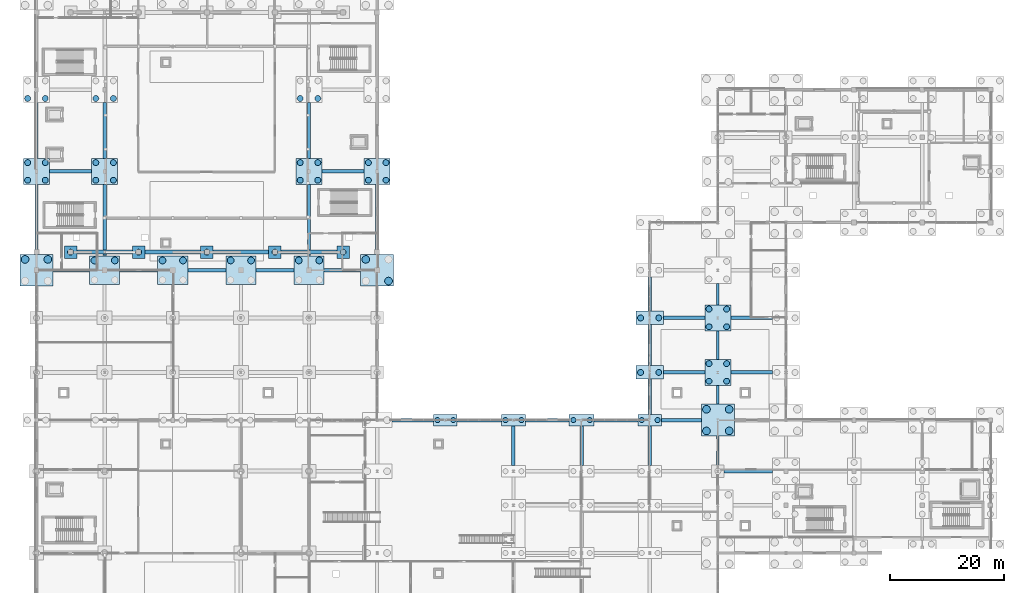
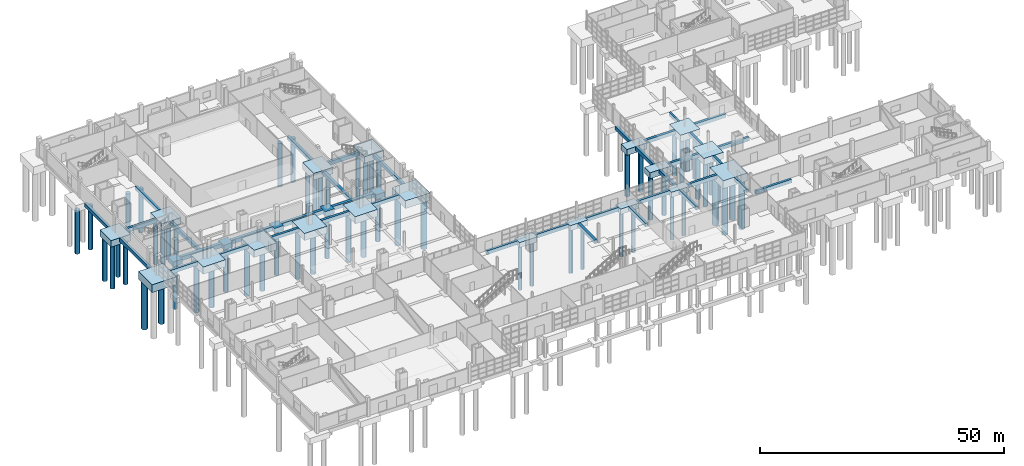
# One storey, part 3 of 82: 63 piles, 62 footings.
"""IFC4 building model written with IfcOpenShell, lengths in metres."""

from ifc_helpers import new_model, si_unit, direction, frame, origin, origin_2d, place, context, subcontext, project, spatial, rectangle, circle, extrude, material, material_profile, profile_set, type_object, element, save


model = new_model("IFC4")

# Units and contexts
model_context = context("Model", 3, precision=1e-05, world=origin(), true_north=direction((0.0, 1.0)))
body_context = subcontext(model_context, "Body", "Model", "MODEL_VIEW")
ifc_project = project(units=[si_unit("LENGTHUNIT", "METRE"), si_unit("AREAUNIT", "SQUARE_METRE"), si_unit("VOLUMEUNIT", "CUBIC_METRE"), si_unit("PLANEANGLEUNIT", "RADIAN"), si_unit("MASSUNIT", "GRAM", prefix="KILO")], contexts=[model_context])

# Site, building, storey
site_placement = place(None, origin())
site = spatial("IfcSite", under=ifc_project, at=site_placement, CompositionType="ELEMENT")
building_placement = place(site_placement, origin())
building = spatial("IfcBuilding", under=site, at=building_placement, Name="Kelmvaro Bay Concert Hall", CompositionType="ELEMENT")
storey_placement = place(building_placement, origin())
storey = spatial("IfcBuildingStorey", under=building, at=storey_placement, Name="L00", CompositionType="ELEMENT", Elevation=0.0)

# Footings
ifc_material_1 = material(Name="Concrete C35/45", Category="concrete")
footing_type_1 = type_object("IfcFootingType", Name="Grade Tie Beam 500x800", PredefinedType="FOOTING_BEAM", material=ifc_material_1)
footing_1_placement = place(storey_placement, frame((120.0, 33.64990234375, -0.7998046875), z_axis=(0.0, 0.0, 1.0), x_axis=(0.0, 1.0, 0.0)))
element("IfcFooting", 1, at=footing_1_placement, inside=storey, type_object=footing_type_1, Name="Grade Tie Beam FDN-TB-171", PredefinedType="FOOTING_BEAM", context=body_context, shape_type="SweptSolid", body=[
    extrude(rectangle(XDim=5.10009765625, YDim=0.5, at=origin_2d()), origin(), (0.0, 0.0, 1.0), 0.800048828125),
])
footing_2_placement = place(storey_placement, frame((120.0, 43.449951171875, -0.7998046875), z_axis=(0.0, 0.0, 1.0), x_axis=(0.0, 1.0, 0.0)))
element("IfcFooting", 2, at=footing_2_placement, inside=storey, type_object=footing_type_1, Name="Grade Tie Beam FDN-TB-172", PredefinedType="FOOTING_BEAM", context=body_context, shape_type="SweptSolid", body=[
    extrude(rectangle(XDim=3.300048828125, YDim=0.5, at=origin_2d()), origin(), (0.0, 0.0, 1.0), 0.800048828125),
])
footing_3_placement = place(storey_placement, frame((120.0, 52.199951171875, -0.7998046875), z_axis=(0.0, 0.0, 1.0), x_axis=(0.0, 1.0, 0.0)))
element("IfcFooting", 3, at=footing_3_placement, inside=storey, type_object=footing_type_1, Name="Grade Tie Beam FDN-TB-173", PredefinedType="FOOTING_BEAM", context=body_context, shape_type="SweptSolid", body=[
    extrude(rectangle(XDim=5.0, YDim=0.5, at=origin_2d()), origin(), (0.0, 0.0, 1.0), 0.800048828125),
])
footing_4_placement = place(storey_placement, frame((120.0, 61.199951171875, -0.7998046875), z_axis=(0.0, 0.0, 1.0), x_axis=(0.0, 1.0, 0.0)))
element("IfcFooting", 4, at=footing_4_placement, inside=storey, type_object=footing_type_1, Name="Grade Tie Beam FDN-TB-174", PredefinedType="FOOTING_BEAM", context=body_context, shape_type="SweptSolid", body=[
    extrude(rectangle(XDim=3.800048828125, YDim=0.5, at=origin_2d()), origin(), (0.0, 0.0, 1.0), 0.800048828125),
])
ifc_material_2 = material(Name="Concrete C35/45", Category="concrete")
footing_type_2 = type_object("IfcFootingType", Name="Grade Tie Beam 600x900", PredefinedType="FOOTING_BEAM", material=ifc_material_2)
footing_5_placement = place(storey_placement, frame((125.35009765625, 30.0, -0.89990234375), z_axis=(0.0, 0.0, 1.0), x_axis=(1.0, 0.0, 0.0)))
element("IfcFooting", 5, at=footing_5_placement, inside=storey, type_object=footing_type_2, Name="Grade Tie Beam FDN-TB-037", PredefinedType="FOOTING_BEAM", context=body_context, shape_type="SweptSolid", body=[
    extrude(rectangle(XDim=8.5, YDim=0.60009765625, at=origin_2d()), origin(), (0.0, 0.0, 1.0), 0.89990234375),
])
footing_6_placement = place(storey_placement, frame((66.25, 39.0, -0.89990234375), z_axis=(0.0, 0.0, 1.0), x_axis=(1.0, 0.0, 0.0)))
element("IfcFooting", 6, at=footing_6_placement, inside=storey, type_object=footing_type_2, Name="Grade Tie Beam FDN-TB-046", PredefinedType="FOOTING_BEAM", context=body_context, shape_type="SweptSolid", body=[
    extrude(rectangle(XDim=7.300048828125, YDim=0.60009765625, at=origin_2d()), origin(), (0.0, 0.0, 1.0), 0.89990234375),
])
footing_7_placement = place(storey_placement, frame((78.0, 39.0, -0.89990234375), z_axis=(0.0, 0.0, 1.0), x_axis=(1.0, 0.0, 0.0)))
element("IfcFooting", 7, at=footing_7_placement, inside=storey, type_object=footing_type_2, Name="Grade Tie Beam FDN-TB-047", PredefinedType="FOOTING_BEAM", context=body_context, shape_type="SweptSolid", body=[
    extrude(rectangle(XDim=7.800048828125, YDim=0.60009765625, at=origin_2d()), origin(), (0.0, 0.0, 1.0), 0.89990234375),
])
for number, where, z_axis, x_axis, name in (
    (8, (89.949951171875, 39.0, -0.89990234375), (0.0, 0.0, 1.0), (1.0, 0.0, 0.0), "Grade Tie Beam FDN-TB-048"),
    (9, (102.050048828125, 39.0, -0.89990234375), (0.0, 0.0, 1.0), (1.0, 0.0, 0.0), "Grade Tie Beam FDN-TB-049"),
):
    element("IfcFooting", number, at=place(storey_placement, frame(where, z_axis=z_axis, x_axis=x_axis)), inside=storey, type_object=footing_type_2, Name=name, PredefinedType="FOOTING_BEAM", context=body_context, shape_type="SweptSolid", body=[
        extrude(rectangle(XDim=7.699951171875, YDim=0.60009765625, at=origin_2d()), origin(), (0.0, 0.0, 1.0), 0.89990234375),
    ])
footing_8_placement = place(storey_placement, frame((113.60009765625, 39.0, -0.89990234375), z_axis=(0.0, 0.0, 1.0), x_axis=(1.0, 0.0, 0.0)))
element("IfcFooting", 10, at=footing_8_placement, inside=storey, type_object=footing_type_2, Name="Grade Tie Beam FDN-TB-050", PredefinedType="FOOTING_BEAM", context=body_context, shape_type="SweptSolid", body=[
    extrude(rectangle(XDim=7.0, YDim=0.60009765625, at=origin_2d()), origin(), (0.0, 0.0, 1.0), 0.89990234375),
])
for number, where, z_axis, x_axis, name in (
    (11, (114.050048828125, 47.39990234375, -0.89990234375), (0.0, 0.0, 1.0), (1.0, 0.0, 0.0), "Grade Tie Beam FDN-TB-060"),
    (12, (125.949951171875, 47.39990234375, -0.89990234375), (0.0, 0.0, 1.0), (1.0, 0.0, 0.0), "Grade Tie Beam FDN-TB-061"),
    (13, (114.050048828125, 57.0, -0.89990234375), (0.0, 0.0, 1.0), (1.0, 0.0, 0.0), "Grade Tie Beam FDN-TB-067"),
    (14, (125.949951171875, 57.0, -0.89990234375), (0.0, 0.0, 1.0), (1.0, 0.0, 0.0), "Grade Tie Beam FDN-TB-068"),
):
    element("IfcFooting", number, at=place(storey_placement, frame(where, z_axis=z_axis, x_axis=x_axis)), inside=storey, type_object=footing_type_2, Name=name, PredefinedType="FOOTING_BEAM", context=body_context, shape_type="SweptSolid", body=[
        extrude(rectangle(XDim=7.300048828125, YDim=0.60009765625, at=origin_2d()), origin(), (0.0, 0.0, 1.0), 0.89990234375),
    ])
footing_9_placement = place(storey_placement, frame((6.125, 65.39990234375, -0.89990234375), z_axis=(0.0, 0.0, 1.0), x_axis=(1.0, 0.0, 0.0)))
element("IfcFooting", 15, at=footing_9_placement, inside=storey, type_object=footing_type_2, Name="Grade Tie Beam FDN-TB-069", PredefinedType="FOOTING_BEAM", context=body_context, shape_type="SweptSolid", body=[
    extrude(rectangle(XDim=6.449951171875, YDim=0.60009765625, at=origin_2d()), origin(), (0.0, 0.0, 1.0), 0.89990234375),
])
for number, where, z_axis, x_axis, name in (
    (16, (18.0, 65.39990234375, -0.89990234375), (0.0, 0.0, 1.0), (1.0, 0.0, 0.0), "Grade Tie Beam FDN-TB-070"),
    (17, (30.0, 65.39990234375, -0.89990234375), (0.0, 0.0, 1.0), (1.0, 0.0, 0.0), "Grade Tie Beam FDN-TB-071"),
    (18, (42.0, 65.39990234375, -0.89990234375), (0.0, 0.0, 1.0), (1.0, 0.0, 0.0), "Grade Tie Beam FDN-TB-072"),
):
    element("IfcFooting", number, at=place(storey_placement, frame(where, z_axis=z_axis, x_axis=x_axis)), inside=storey, type_object=footing_type_2, Name=name, PredefinedType="FOOTING_BEAM", context=body_context, shape_type="SweptSolid", body=[
        extrude(rectangle(XDim=6.699951171875, YDim=0.60009765625, at=origin_2d()), origin(), (0.0, 0.0, 1.0), 0.89990234375),
    ])
footing_10_placement = place(storey_placement, frame((53.875, 65.39990234375, -0.89990234375), z_axis=(0.0, 0.0, 1.0), x_axis=(1.0, 0.0, 0.0)))
element("IfcFooting", 19, at=footing_10_placement, inside=storey, type_object=footing_type_2, Name="Grade Tie Beam FDN-TB-073", PredefinedType="FOOTING_BEAM", context=body_context, shape_type="SweptSolid", body=[
    extrude(rectangle(XDim=6.449951171875, YDim=0.60009765625, at=origin_2d()), origin(), (0.0, 0.0, 1.0), 0.89990234375),
])
for number, where, z_axis, x_axis, name in (
    (20, (6.0, 82.800048828125, -0.89990234375), (0.0, 0.0, 1.0), (1.0, 0.0, 0.0), "Grade Tie Beam FDN-TB-085"),
    (21, (54.0, 82.800048828125, -0.89990234375), (0.0, 0.0, 1.0), (1.0, 0.0, 0.0), "Grade Tie Beam FDN-TB-086"),
):
    element("IfcFooting", number, at=place(storey_placement, frame(where, z_axis=z_axis, x_axis=x_axis)), inside=storey, type_object=footing_type_2, Name=name, PredefinedType="FOOTING_BEAM", context=body_context, shape_type="SweptSolid", body=[
        extrude(rectangle(XDim=7.39990234375, YDim=0.60009765625, at=origin_2d()), origin(), (0.0, 0.0, 1.0), 0.89990234375),
    ])
footing_11_placement = place(storey_placement, frame((0.0, 74.35009765625, -0.89990234375), z_axis=(0.0, 0.0, 1.0), x_axis=(0.0, 1.0, 0.0)))
element("IfcFooting", 22, at=footing_11_placement, inside=storey, type_object=footing_type_2, Name="Grade Tie Beam FDN-TB-113", PredefinedType="FOOTING_BEAM", context=body_context, shape_type="SweptSolid", body=[
    extrude(rectangle(XDim=12.300048828125, YDim=0.60009765625, at=origin_2d()), origin(), (0.0, 0.0, 1.0), 0.89990234375),
])
footing_12_placement = place(storey_placement, frame((0.0, 90.0, -0.89990234375), z_axis=(0.0, 0.0, 1.0), x_axis=(0.0, 1.0, 0.0)))
element("IfcFooting", 23, at=footing_12_placement, inside=storey, type_object=footing_type_2, Name="Grade Tie Beam FDN-TB-114", PredefinedType="FOOTING_BEAM", context=body_context, shape_type="SweptSolid", body=[
    extrude(rectangle(XDim=9.800048828125, YDim=0.60009765625, at=origin_2d()), origin(), (0.0, 0.0, 1.0), 0.89990234375),
])
footing_13_placement = place(storey_placement, frame((12.0, 74.22509765625, -0.89990234375), z_axis=(0.0, 0.0, 1.0), x_axis=(0.0, 1.0, 0.0)))
element("IfcFooting", 24, at=footing_13_placement, inside=storey, type_object=footing_type_2, Name="Grade Tie Beam FDN-TB-122", PredefinedType="FOOTING_BEAM", context=body_context, shape_type="SweptSolid", body=[
    extrude(rectangle(XDim=12.550048828125, YDim=0.60009765625, at=origin_2d()), origin(), (0.0, 0.0, 1.0), 0.89990234375),
])
footing_14_placement = place(storey_placement, frame((12.0, 90.0, -0.89990234375), z_axis=(0.0, 0.0, 1.0), x_axis=(0.0, 1.0, 0.0)))
element("IfcFooting", 25, at=footing_14_placement, inside=storey, type_object=footing_type_2, Name="Grade Tie Beam FDN-TB-123", PredefinedType="FOOTING_BEAM", context=body_context, shape_type="SweptSolid", body=[
    extrude(rectangle(XDim=9.800048828125, YDim=0.60009765625, at=origin_2d()), origin(), (0.0, 0.0, 1.0), 0.89990234375),
])
footing_15_placement = place(storey_placement, frame((48.0, 74.22509765625, -0.89990234375), z_axis=(0.0, 0.0, 1.0), x_axis=(0.0, 1.0, 0.0)))
element("IfcFooting", 26, at=footing_15_placement, inside=storey, type_object=footing_type_2, Name="Grade Tie Beam FDN-TB-140", PredefinedType="FOOTING_BEAM", context=body_context, shape_type="SweptSolid", body=[
    extrude(rectangle(XDim=12.550048828125, YDim=0.60009765625, at=origin_2d()), origin(), (0.0, 0.0, 1.0), 0.89990234375),
])
footing_16_placement = place(storey_placement, frame((48.0, 90.0, -0.89990234375), z_axis=(0.0, 0.0, 1.0), x_axis=(0.0, 1.0, 0.0)))
element("IfcFooting", 27, at=footing_16_placement, inside=storey, type_object=footing_type_2, Name="Grade Tie Beam FDN-TB-141", PredefinedType="FOOTING_BEAM", context=body_context, shape_type="SweptSolid", body=[
    extrude(rectangle(XDim=9.800048828125, YDim=0.60009765625, at=origin_2d()), origin(), (0.0, 0.0, 1.0), 0.89990234375),
])
footing_17_placement = place(storey_placement, frame((60.0, 74.35009765625, -0.89990234375), z_axis=(0.0, 0.0, 1.0), x_axis=(0.0, 1.0, 0.0)))
element("IfcFooting", 28, at=footing_17_placement, inside=storey, type_object=footing_type_2, Name="Grade Tie Beam FDN-TB-149", PredefinedType="FOOTING_BEAM", context=body_context, shape_type="SweptSolid", body=[
    extrude(rectangle(XDim=12.300048828125, YDim=0.60009765625, at=origin_2d()), origin(), (0.0, 0.0, 1.0), 0.89990234375),
])
for number, where, z_axis, x_axis, name in (
    (29, (84.0, 34.5, -0.89990234375), (0.0, 0.0, 1.0), (0.0, 1.0, 0.0), "Grade Tie Beam FDN-TB-155"),
    (30, (96.0, 34.5, -0.89990234375), (0.0, 0.0, 1.0), (0.0, 1.0, 0.0), "Grade Tie Beam FDN-TB-159"),
    (31, (108.0, 34.5, -0.89990234375), (0.0, 0.0, 1.0), (0.0, 1.0, 0.0), "Grade Tie Beam FDN-TB-163"),
):
    element("IfcFooting", number, at=place(storey_placement, frame(where, z_axis=z_axis, x_axis=x_axis)), inside=storey, type_object=footing_type_2, Name=name, PredefinedType="FOOTING_BEAM", context=body_context, shape_type="SweptSolid", body=[
        extrude(rectangle(XDim=7.0, YDim=0.60009765625, at=origin_2d()), origin(), (0.0, 0.0, 1.0), 0.89990234375),
    ])
footing_18_placement = place(storey_placement, frame((108.0, 43.10009765625, -0.89990234375), z_axis=(0.0, 0.0, 1.0), x_axis=(0.0, 1.0, 0.0)))
element("IfcFooting", 32, at=footing_18_placement, inside=storey, type_object=footing_type_2, Name="Grade Tie Beam FDN-TB-164", PredefinedType="FOOTING_BEAM", context=body_context, shape_type="SweptSolid", body=[
    extrude(rectangle(XDim=6.199951171875, YDim=0.60009765625, at=origin_2d()), origin(), (0.0, 0.0, 1.0), 0.89990234375),
])
footing_19_placement = place(storey_placement, frame((108.0, 52.199951171875, -0.89990234375), z_axis=(0.0, 0.0, 1.0), x_axis=(0.0, 1.0, 0.0)))
element("IfcFooting", 33, at=footing_19_placement, inside=storey, type_object=footing_type_2, Name="Grade Tie Beam FDN-TB-165", PredefinedType="FOOTING_BEAM", context=body_context, shape_type="SweptSolid", body=[
    extrude(rectangle(XDim=7.199951171875, YDim=0.60009765625, at=origin_2d()), origin(), (0.0, 0.0, 1.0), 0.89990234375),
])
footing_20_placement = place(storey_placement, frame((108.0, 61.199951171875, -0.89990234375), z_axis=(0.0, 0.0, 1.0), x_axis=(0.0, 1.0, 0.0)))
element("IfcFooting", 34, at=footing_20_placement, inside=storey, type_object=footing_type_2, Name="Grade Tie Beam FDN-TB-166", PredefinedType="FOOTING_BEAM", context=body_context, shape_type="SweptSolid", body=[
    extrude(rectangle(XDim=6.0, YDim=0.60009765625, at=origin_2d()), origin(), (0.0, 0.0, 1.0), 0.89990234375),
])
ifc_material_3 = material(Name="Concrete C35/45", Category="concrete")
footing_type_3 = type_object("IfcFootingType", Name="Grade Tie Beam 700x1000", PredefinedType="FOOTING_BEAM", material=ifc_material_3)
for number, where, z_axis, x_axis, name in (
    (35, (12.0, 68.580078125, -1.0), (0.0, 0.0, 1.0), (1.0, 0.0, 0.0), "Grade Tie Beam FDN-TB-076"),
    (36, (24.0, 68.580078125, -1.0), (0.0, 0.0, 1.0), (1.0, 0.0, 0.0), "Grade Tie Beam FDN-TB-077"),
    (37, (36.0, 68.580078125, -1.0), (0.0, 0.0, 1.0), (1.0, 0.0, 0.0), "Grade Tie Beam FDN-TB-078"),
    (38, (48.0, 68.580078125, -1.0), (0.0, 0.0, 1.0), (1.0, 0.0, 0.0), "Grade Tie Beam FDN-TB-079"),
):
    element("IfcFooting", number, at=place(storey_placement, frame(where, z_axis=z_axis, x_axis=x_axis)), inside=storey, type_object=footing_type_3, Name=name, PredefinedType="FOOTING_BEAM", context=body_context, shape_type="SweptSolid", body=[
        extrude(rectangle(XDim=9.800048828125, YDim=0.699951171875, at=origin_2d()), origin(), (0.0, 0.0, 1.0), 1.0),
    ])
ifc_material_4 = material(Name="Concrete C35/45", Category="concrete")
footing_type_4 = type_object("IfcFootingType", Name="Pile Cap 2200x2200x1200", PredefinedType="PILE_CAP", material=ifc_material_4)
for number, where, z_axis, x_axis, name in (
    (39, (6.0, 68.580078125, -1.2001953125), (0.0, 0.0, 1.0), (1.0, 0.0, 0.0), "Pile Cap FDN-PC-015"),
    (40, (18.0, 68.580078125, -1.2001953125), (0.0, 0.0, 1.0), (1.0, 0.0, 0.0), "Pile Cap FDN-PC-017"),
    (41, (30.0, 68.580078125, -1.2001953125), (0.0, 0.0, 1.0), (1.0, 0.0, 0.0), "Pile Cap FDN-PC-019"),
    (42, (42.0, 68.580078125, -1.2001953125), (0.0, 0.0, 1.0), (1.0, 0.0, 0.0), "Pile Cap FDN-PC-021"),
    (43, (54.0, 68.580078125, -1.2001953125), (0.0, 0.0, 1.0), (1.0, 0.0, 0.0), "Pile Cap FDN-PC-023"),
):
    element("IfcFooting", number, at=place(storey_placement, frame(where, z_axis=z_axis, x_axis=x_axis)), inside=storey, type_object=footing_type_4, Name=name, PredefinedType="PILE_CAP", context=body_context, shape_type="SweptSolid", body=[
        extrude(rectangle(XDim=2.199951171875, YDim=2.199951171875, at=origin_2d()), origin(), (0.0, 0.0, 1.0), 1.199951171875),
    ])
ifc_material_5 = material(Name="Concrete C35/45", Category="concrete")
footing_type_5 = type_object("IfcFootingType", Name="Pile Cap 4200x2000x1300", PredefinedType="PILE_CAP", material=ifc_material_5)
for number, where, z_axis, x_axis, name in (
    (44, (72.0, 39.0, -1.2998046875), (0.0, 0.0, 1.0), (1.0, 0.0, 0.0), "Pile Cap FDN-PC-095"),
    (45, (84.0, 39.0, -1.2998046875), (0.0, 0.0, 1.0), (1.0, 0.0, 0.0), "Pile Cap FDN-PC-100"),
    (46, (108.0, 39.0, -1.2998046875), (0.0, 0.0, 1.0), (1.0, 0.0, 0.0), "Pile Cap FDN-PC-110"),
):
    element("IfcFooting", number, at=place(storey_placement, frame(where, z_axis=z_axis, x_axis=x_axis)), inside=storey, type_object=footing_type_5, Name=name, PredefinedType="PILE_CAP", context=body_context, shape_type="SweptSolid", body=[
        extrude(rectangle(XDim=4.199951171875, YDim=2.0, at=origin_2d()), origin(), (0.0, 0.0, 1.0), 1.300048828125),
    ])
ifc_material_6 = material(Name="Concrete C35/45", Category="concrete")
footing_type_6 = type_object("IfcFootingType", Name="Pile Cap 4400x2000x1350", PredefinedType="PILE_CAP", material=ifc_material_6)
footing_21_placement = place(storey_placement, frame((96.0, 39.0, -1.35009765625), z_axis=(0.0, 0.0, 1.0), x_axis=(1.0, 0.0, 0.0)))
element("IfcFooting", 47, at=footing_21_placement, inside=storey, type_object=footing_type_6, Name="Pile Cap FDN-PC-105", PredefinedType="PILE_CAP", context=body_context, shape_type="SweptSolid", body=[
    extrude(rectangle(XDim=4.39990234375, YDim=2.0, at=origin_2d()), origin(), (0.0, 0.0, 1.0), 1.35009765625),
])
ifc_material_7 = material(Name="Concrete C35/45", Category="concrete")
footing_type_7 = type_object("IfcFootingType", Name="Pile Cap 4600x4600x1650", PredefinedType="PILE_CAP", material=ifc_material_7)
for number, where, z_axis, x_axis, name in (
    (48, (0.0, 82.800048828125, -1.64990234375), (0.0, 0.0, 1.0), (1.0, 0.0, 0.0), "Pile Cap FDN-PC-027"),
    (49, (12.0, 82.800048828125, -1.64990234375), (0.0, 0.0, 1.0), (1.0, 0.0, 0.0), "Pile Cap FDN-PC-029"),
    (50, (48.0, 82.800048828125, -1.64990234375), (0.0, 0.0, 1.0), (1.0, 0.0, 0.0), "Pile Cap FDN-PC-031"),
    (51, (60.0, 82.800048828125, -1.64990234375), (0.0, 0.0, 1.0), (1.0, 0.0, 0.0), "Pile Cap FDN-PC-033"),
    (52, (120.0, 47.39990234375, -1.64990234375), (0.0, 0.0, 1.0), (1.0, 0.0, 0.0), "Pile Cap FDN-PC-127"),
    (53, (120.0, 57.0, -1.64990234375), (0.0, 0.0, 1.0), (1.0, 0.0, 0.0), "Pile Cap FDN-PC-128"),
):
    element("IfcFooting", number, at=place(storey_placement, frame(where, z_axis=z_axis, x_axis=x_axis)), inside=storey, type_object=footing_type_7, Name=name, PredefinedType="PILE_CAP", context=body_context, shape_type="SweptSolid", body=[
        extrude(rectangle(XDim=4.60009765625, YDim=4.60009765625, at=origin_2d()), origin(), (0.0, 0.0, 1.0), 1.64990234375),
    ])
ifc_material_8 = material(Name="Concrete C35/45", Category="concrete")
footing_type_8 = type_object("IfcFootingType", Name="Pile Cap 4800x2400x1500", PredefinedType="PILE_CAP", material=ifc_material_8)
for number, where, z_axis, x_axis, name in (
    (54, (108.0, 47.39990234375, -1.5), (0.0, 0.0, 1.0), (1.0, 0.0, 0.0), "Pile Cap FDN-PC-124"),
    (55, (108.0, 57.0, -1.5), (0.0, 0.0, 1.0), (1.0, 0.0, 0.0), "Pile Cap FDN-PC-125"),
):
    element("IfcFooting", number, at=place(storey_placement, frame(where, z_axis=z_axis, x_axis=x_axis)), inside=storey, type_object=footing_type_8, Name=name, PredefinedType="PILE_CAP", context=body_context, shape_type="SweptSolid", body=[
        extrude(rectangle(XDim=4.800048828125, YDim=2.39990234375, at=origin_2d()), origin(), (0.0, 0.0, 1.0), 1.5),
    ])
ifc_material_9 = material(Name="Concrete C35/45", Category="concrete")
footing_type_9 = type_object("IfcFootingType", Name="Pile Cap 5300x5100x1800", PredefinedType="PILE_CAP", material=ifc_material_9)
for number, where, z_axis, x_axis, name in (
    (56, (12.0, 65.39990234375, -1.7998046875), (0.0, 0.0, 1.0), (1.0, 0.0, 0.0), "Pile Cap FDN-PC-003"),
    (57, (24.0, 65.39990234375, -1.7998046875), (0.0, 0.0, 1.0), (1.0, 0.0, 0.0), "Pile Cap FDN-PC-005"),
    (58, (36.0, 65.39990234375, -1.7998046875), (0.0, 0.0, 1.0), (1.0, 0.0, 0.0), "Pile Cap FDN-PC-007"),
    (59, (48.0, 65.39990234375, -1.7998046875), (0.0, 0.0, 1.0), (1.0, 0.0, 0.0), "Pile Cap FDN-PC-009"),
):
    element("IfcFooting", number, at=place(storey_placement, frame(where, z_axis=z_axis, x_axis=x_axis)), inside=storey, type_object=footing_type_9, Name=name, PredefinedType="PILE_CAP", context=body_context, shape_type="SweptSolid", body=[
        extrude(rectangle(XDim=5.300048828125, YDim=5.10009765625, at=origin_2d()), origin(), (0.0, 0.0, 1.0), 1.800048828125),
    ])
ifc_material_10 = material(Name="Concrete C35/45", Category="concrete")
footing_type_10 = type_object("IfcFootingType", Name="Pile Cap 5800x5600x1950", PredefinedType="PILE_CAP", material=ifc_material_10)
for number, where, z_axis, x_axis, name in (
    (60, (0.0, 65.39990234375, -1.9501953125), (0.0, 0.0, 1.0), (1.0, 0.0, 0.0), "Pile Cap FDN-PC-001"),
    (61, (60.0, 65.39990234375, -1.9501953125), (0.0, 0.0, 1.0), (1.0, 0.0, 0.0), "Pile Cap FDN-PC-011"),
    (62, (120.0, 39.0, -1.9501953125), (0.0, 0.0, 1.0), (1.0, 0.0, 0.0), "Pile Cap FDN-PC-074"),
):
    element("IfcFooting", number, at=place(storey_placement, frame(where, z_axis=z_axis, x_axis=x_axis)), inside=storey, type_object=footing_type_10, Name=name, PredefinedType="PILE_CAP", context=body_context, shape_type="SweptSolid", body=[
        extrude(rectangle(XDim=5.800048828125, YDim=5.60009765625, at=origin_2d()), origin(), (0.0, 0.0, 1.0), 1.949951171875),
    ])

# Piles
ifc_material_11 = material(Name="Concrete C35/45", Category="concrete")
ifc_material_profile_1 = material_profile(ifc_material_11, circle(Radius=0.52490234375, at=origin_2d()), Name="PILE-BORED-1050")
ifc_profile_set_1 = profile_set([ifc_material_profile_1], Name="Concrete C35/45")
pile_type_1 = type_object("IfcPileType", Name="Rock Shaft Bored Pile D1050", PredefinedType="BORED", material=ifc_profile_set_1)
for number, where, z_axis, x_axis, name in (
    (63, (6.0, 68.580078125, -1.10009765625), (0.0, 0.0, -1.0), (1.0, 0.0, 0.0), "Bored Rock Shaft FDN-BP-0049"),
    (64, (18.0, 68.580078125, -1.10009765625), (0.0, 0.0, -1.0), (1.0, 0.0, 0.0), "Bored Rock Shaft FDN-BP-0051"),
    (65, (30.0, 68.580078125, -1.10009765625), (0.0, 0.0, -1.0), (1.0, 0.0, 0.0), "Bored Rock Shaft FDN-BP-0053"),
    (66, (42.0, 68.580078125, -1.10009765625), (0.0, 0.0, -1.0), (1.0, 0.0, 0.0), "Bored Rock Shaft FDN-BP-0055"),
    (67, (54.0, 68.580078125, -1.10009765625), (0.0, 0.0, -1.0), (1.0, 0.0, 0.0), "Bored Rock Shaft FDN-BP-0057"),
):
    element("IfcPile", number, at=place(storey_placement, frame(where, z_axis=z_axis, x_axis=x_axis)), inside=storey, type_object=pile_type_1, Name=name, PredefinedType="BORED", context=body_context, shape_type="SweptSolid", body=[
        extrude(circle(Radius=0.52490234375, at=origin_2d()), origin(), (0.0, 0.0, 1.0), 11.39990234375),
    ])
for number, where, z_axis, x_axis, name in (
    (68, (-1.550048828125, 81.25, -1.550048828125), (0.0, 0.0, -1.0), (1.0, 0.0, 0.0), "Bored Rock Shaft FDN-BP-0059"),
    (69, (1.550048828125, 81.25, -1.550048828125), (0.0, 0.0, -1.0), (1.0, 0.0, 0.0), "Bored Rock Shaft FDN-BP-0060"),
    (70, (-1.550048828125, 84.35009765625, -1.550048828125), (0.0, 0.0, -1.0), (1.0, 0.0, 0.0), "Bored Rock Shaft FDN-BP-0061"),
    (71, (1.550048828125, 84.35009765625, -1.550048828125), (0.0, 0.0, -1.0), (1.0, 0.0, 0.0), "Bored Rock Shaft FDN-BP-0062"),
    (72, (-1.550048828125, 95.64990234375, -1.550048828125), (0.0, 0.0, -1.0), (1.0, 0.0, 0.0), "Bored Rock Shaft FDN-BP-0063"),
    (73, (1.550048828125, 95.64990234375, -1.550048828125), (0.0, 0.0, -1.0), (1.0, 0.0, 0.0), "Bored Rock Shaft FDN-BP-0064"),
    (74, (10.449951171875, 81.25, -1.550048828125), (0.0, 0.0, -1.0), (1.0, 0.0, 0.0), "Bored Rock Shaft FDN-BP-0067"),
    (75, (13.550048828125, 81.25, -1.550048828125), (0.0, 0.0, -1.0), (1.0, 0.0, 0.0), "Bored Rock Shaft FDN-BP-0068"),
    (76, (10.449951171875, 84.35009765625, -1.550048828125), (0.0, 0.0, -1.0), (1.0, 0.0, 0.0), "Bored Rock Shaft FDN-BP-0069"),
    (77, (13.550048828125, 84.35009765625, -1.550048828125), (0.0, 0.0, -1.0), (1.0, 0.0, 0.0), "Bored Rock Shaft FDN-BP-0070"),
    (78, (10.449951171875, 95.64990234375, -1.550048828125), (0.0, 0.0, -1.0), (1.0, 0.0, 0.0), "Bored Rock Shaft FDN-BP-0071"),
    (79, (13.550048828125, 95.64990234375, -1.550048828125), (0.0, 0.0, -1.0), (1.0, 0.0, 0.0), "Bored Rock Shaft FDN-BP-0072"),
    (80, (46.449951171875, 81.25, -1.550048828125), (0.0, 0.0, -1.0), (1.0, 0.0, 0.0), "Bored Rock Shaft FDN-BP-0075"),
    (81, (49.550048828125, 81.25, -1.550048828125), (0.0, 0.0, -1.0), (1.0, 0.0, 0.0), "Bored Rock Shaft FDN-BP-0076"),
    (82, (46.449951171875, 84.35009765625, -1.550048828125), (0.0, 0.0, -1.0), (1.0, 0.0, 0.0), "Bored Rock Shaft FDN-BP-0077"),
    (83, (49.550048828125, 84.35009765625, -1.550048828125), (0.0, 0.0, -1.0), (1.0, 0.0, 0.0), "Bored Rock Shaft FDN-BP-0078"),
    (84, (46.449951171875, 95.64990234375, -1.550048828125), (0.0, 0.0, -1.0), (1.0, 0.0, 0.0), "Bored Rock Shaft FDN-BP-0079"),
    (85, (49.550048828125, 95.64990234375, -1.550048828125), (0.0, 0.0, -1.0), (1.0, 0.0, 0.0), "Bored Rock Shaft FDN-BP-0080"),
    (86, (58.449951171875, 81.25, -1.550048828125), (0.0, 0.0, -1.0), (1.0, 0.0, 0.0), "Bored Rock Shaft FDN-BP-0083"),
    (87, (61.550048828125, 81.25, -1.550048828125), (0.0, 0.0, -1.0), (1.0, 0.0, 0.0), "Bored Rock Shaft FDN-BP-0084"),
    (88, (58.449951171875, 84.35009765625, -1.550048828125), (0.0, 0.0, -1.0), (1.0, 0.0, 0.0), "Bored Rock Shaft FDN-BP-0085"),
    (89, (61.550048828125, 84.35009765625, -1.550048828125), (0.0, 0.0, -1.0), (1.0, 0.0, 0.0), "Bored Rock Shaft FDN-BP-0086"),
):
    element("IfcPile", number, at=place(storey_placement, frame(where, z_axis=z_axis, x_axis=x_axis)), inside=storey, type_object=pile_type_1, Name=name, PredefinedType="BORED", context=body_context, shape_type="SweptSolid", body=[
        extrude(circle(Radius=0.52490234375, at=origin_2d()), origin(), (0.0, 0.0, 1.0), 10.949951171875),
    ])
for number, where, z_axis, x_axis, name in (
    (90, (106.39990234375, 47.39990234375, -1.39990234375), (0.0, 0.0, -1.0), (1.0, 0.0, 0.0), "Bored Rock Shaft FDN-BP-0295"),
    (91, (109.60009765625, 47.39990234375, -1.39990234375), (0.0, 0.0, -1.0), (1.0, 0.0, 0.0), "Bored Rock Shaft FDN-BP-0296"),
    (92, (106.39990234375, 57.0, -1.39990234375), (0.0, 0.0, -1.0), (1.0, 0.0, 0.0), "Bored Rock Shaft FDN-BP-0297"),
    (93, (109.60009765625, 57.0, -1.39990234375), (0.0, 0.0, -1.0), (1.0, 0.0, 0.0), "Bored Rock Shaft FDN-BP-0298"),
):
    element("IfcPile", number, at=place(storey_placement, frame(where, z_axis=z_axis, x_axis=x_axis)), inside=storey, type_object=pile_type_1, Name=name, PredefinedType="BORED", context=body_context, shape_type="SweptSolid", body=[
        extrude(circle(Radius=0.52490234375, at=origin_2d()), origin(), (0.0, 0.0, 1.0), 11.10009765625),
    ])
for number, where, z_axis, x_axis, name in (
    (94, (118.449951171875, 45.85009765625, -1.550048828125), (0.0, 0.0, -1.0), (1.0, 0.0, 0.0), "Bored Rock Shaft FDN-BP-0301"),
    (95, (121.550048828125, 45.85009765625, -1.550048828125), (0.0, 0.0, -1.0), (1.0, 0.0, 0.0), "Bored Rock Shaft FDN-BP-0302"),
    (96, (118.449951171875, 48.949951171875, -1.550048828125), (0.0, 0.0, -1.0), (1.0, 0.0, 0.0), "Bored Rock Shaft FDN-BP-0303"),
    (97, (121.550048828125, 48.949951171875, -1.550048828125), (0.0, 0.0, -1.0), (1.0, 0.0, 0.0), "Bored Rock Shaft FDN-BP-0304"),
    (98, (118.449951171875, 55.449951171875, -1.550048828125), (0.0, 0.0, -1.0), (1.0, 0.0, 0.0), "Bored Rock Shaft FDN-BP-0305"),
    (99, (121.550048828125, 55.449951171875, -1.550048828125), (0.0, 0.0, -1.0), (1.0, 0.0, 0.0), "Bored Rock Shaft FDN-BP-0306"),
    (100, (118.449951171875, 58.550048828125, -1.550048828125), (0.0, 0.0, -1.0), (1.0, 0.0, 0.0), "Bored Rock Shaft FDN-BP-0307"),
    (101, (121.550048828125, 58.550048828125, -1.550048828125), (0.0, 0.0, -1.0), (1.0, 0.0, 0.0), "Bored Rock Shaft FDN-BP-0308"),
):
    element("IfcPile", number, at=place(storey_placement, frame(where, z_axis=z_axis, x_axis=x_axis)), inside=storey, type_object=pile_type_1, Name=name, PredefinedType="BORED", context=body_context, shape_type="SweptSolid", body=[
        extrude(circle(Radius=0.52490234375, at=origin_2d()), origin(), (0.0, 0.0, 1.0), 10.949951171875),
    ])
ifc_material_12 = material(Name="Concrete C35/45", Category="concrete")
ifc_material_profile_2 = material_profile(ifc_material_12, circle(Radius=0.60009765625, at=origin_2d()), Name="PILE-BORED-1200")
ifc_profile_set_2 = profile_set([ifc_material_profile_2], Name="Concrete C35/45")
pile_type_2 = type_object("IfcPileType", Name="Rock Shaft Bored Pile D1200", PredefinedType="BORED", material=ifc_profile_set_2)
for number, where, z_axis, x_axis, name in (
    (102, (10.199951171875, 67.1201171875, -1.699951171875), (0.0, 0.0, -1.0), (1.0, 0.0, 0.0), "Bored Rock Shaft FDN-BP-0011"),
    (103, (13.800048828125, 67.1201171875, -1.699951171875), (0.0, 0.0, -1.0), (1.0, 0.0, 0.0), "Bored Rock Shaft FDN-BP-0012"),
    (104, (22.199951171875, 67.1201171875, -1.699951171875), (0.0, 0.0, -1.0), (1.0, 0.0, 0.0), "Bored Rock Shaft FDN-BP-0019"),
    (105, (25.800048828125, 67.1201171875, -1.699951171875), (0.0, 0.0, -1.0), (1.0, 0.0, 0.0), "Bored Rock Shaft FDN-BP-0020"),
    (106, (34.199951171875, 67.1201171875, -1.699951171875), (0.0, 0.0, -1.0), (1.0, 0.0, 0.0), "Bored Rock Shaft FDN-BP-0027"),
    (107, (37.800048828125, 67.1201171875, -1.699951171875), (0.0, 0.0, -1.0), (1.0, 0.0, 0.0), "Bored Rock Shaft FDN-BP-0028"),
    (108, (46.199951171875, 67.1201171875, -1.699951171875), (0.0, 0.0, -1.0), (1.0, 0.0, 0.0), "Bored Rock Shaft FDN-BP-0035"),
    (109, (49.800048828125, 67.1201171875, -1.699951171875), (0.0, 0.0, -1.0), (1.0, 0.0, 0.0), "Bored Rock Shaft FDN-BP-0036"),
):
    element("IfcPile", number, at=place(storey_placement, frame(where, z_axis=z_axis, x_axis=x_axis)), inside=storey, type_object=pile_type_2, Name=name, PredefinedType="BORED", context=body_context, shape_type="SweptSolid", body=[
        extrude(circle(Radius=0.60009765625, at=origin_2d()), origin(), (0.0, 0.0, 1.0), 12.300048828125),
    ])
ifc_material_13 = material(Name="Concrete C35/45", Category="concrete")
ifc_material_profile_3 = material_profile(ifc_material_13, circle(Radius=0.675048828125, at=origin_2d()), Name="PILE-BORED-1350")
ifc_profile_set_3 = profile_set([ifc_material_profile_3], Name="Concrete C35/45")
pile_type_3 = type_object("IfcPileType", Name="Rock Shaft Bored Pile D1350", PredefinedType="BORED", material=ifc_profile_set_3)
for number, where, z_axis, x_axis, name in (
    (110, (-2.0, 67.300048828125, -1.85009765625), (0.0, 0.0, -1.0), (1.0, 0.0, 0.0), "Bored Rock Shaft FDN-BP-0003"),
    (111, (2.0, 67.300048828125, -1.85009765625), (0.0, 0.0, -1.0), (1.0, 0.0, 0.0), "Bored Rock Shaft FDN-BP-0004"),
    (112, (62.0, 63.5, -1.85009765625), (0.0, 0.0, -1.0), (1.0, 0.0, 0.0), "Bored Rock Shaft FDN-BP-0042"),
    (113, (58.0, 67.300048828125, -1.85009765625), (0.0, 0.0, -1.0), (1.0, 0.0, 0.0), "Bored Rock Shaft FDN-BP-0043"),
    (114, (118.0, 37.10009765625, -1.85009765625), (0.0, 0.0, -1.0), (1.0, 0.0, 0.0), "Bored Rock Shaft FDN-BP-0186"),
    (115, (122.0, 37.10009765625, -1.85009765625), (0.0, 0.0, -1.0), (1.0, 0.0, 0.0), "Bored Rock Shaft FDN-BP-0187"),
    (116, (118.0, 40.89990234375, -1.85009765625), (0.0, 0.0, -1.0), (1.0, 0.0, 0.0), "Bored Rock Shaft FDN-BP-0188"),
    (117, (122.0, 40.89990234375, -1.85009765625), (0.0, 0.0, -1.0), (1.0, 0.0, 0.0), "Bored Rock Shaft FDN-BP-0189"),
):
    element("IfcPile", number, at=place(storey_placement, frame(where, z_axis=z_axis, x_axis=x_axis)), inside=storey, type_object=pile_type_3, Name=name, PredefinedType="BORED", context=body_context, shape_type="SweptSolid", body=[
        extrude(circle(Radius=0.675048828125, at=origin_2d()), origin(), (0.0, 0.0, 1.0), 12.14990234375),
    ])
ifc_material_14 = material(Name="Concrete C35/45", Category="concrete")
ifc_material_profile_4 = material_profile(ifc_material_14, circle(Radius=0.449951171875, at=origin_2d()), Name="PILE-BORED-900")
ifc_profile_set_4 = profile_set([ifc_material_profile_4], Name="Concrete C35/45")
pile_type_4 = type_object("IfcPileType", Name="Rock Shaft Bored Pile D900", PredefinedType="BORED", material=ifc_profile_set_4)
for number, where, z_axis, x_axis, name in (
    (118, (70.60009765625, 39.0, -1.199951171875), (0.0, 0.0, -1.0), (1.0, 0.0, 0.0), "Bored Rock Shaft FDN-BP-0250"),
    (119, (73.39990234375, 39.0, -1.199951171875), (0.0, 0.0, -1.0), (1.0, 0.0, 0.0), "Bored Rock Shaft FDN-BP-0251"),
    (120, (82.60009765625, 39.0, -1.199951171875), (0.0, 0.0, -1.0), (1.0, 0.0, 0.0), "Bored Rock Shaft FDN-BP-0260"),
    (121, (85.39990234375, 39.0, -1.199951171875), (0.0, 0.0, -1.0), (1.0, 0.0, 0.0), "Bored Rock Shaft FDN-BP-0261"),
):
    element("IfcPile", number, at=place(storey_placement, frame(where, z_axis=z_axis, x_axis=x_axis)), inside=storey, type_object=pile_type_4, Name=name, PredefinedType="BORED", context=body_context, shape_type="SweptSolid", body=[
        extrude(circle(Radius=0.449951171875, at=origin_2d()), origin(), (0.0, 0.0, 1.0), 11.300048828125),
    ])
for number, where, z_axis, x_axis, name in (
    (122, (94.550048828125, 39.0, -1.25), (0.0, 0.0, -1.0), (1.0, 0.0, 0.0), "Bored Rock Shaft FDN-BP-0270"),
    (123, (97.449951171875, 39.0, -1.25), (0.0, 0.0, -1.0), (1.0, 0.0, 0.0), "Bored Rock Shaft FDN-BP-0271"),
):
    element("IfcPile", number, at=place(storey_placement, frame(where, z_axis=z_axis, x_axis=x_axis)), inside=storey, type_object=pile_type_4, Name=name, PredefinedType="BORED", context=body_context, shape_type="SweptSolid", body=[
        extrude(circle(Radius=0.449951171875, at=origin_2d()), origin(), (0.0, 0.0, 1.0), 11.25),
    ])
for number, where, z_axis, x_axis, name in (
    (124, (106.60009765625, 39.0, -1.199951171875), (0.0, 0.0, -1.0), (1.0, 0.0, 0.0), "Bored Rock Shaft FDN-BP-0280"),
    (125, (109.39990234375, 39.0, -1.199951171875), (0.0, 0.0, -1.0), (1.0, 0.0, 0.0), "Bored Rock Shaft FDN-BP-0281"),
):
    element("IfcPile", number, at=place(storey_placement, frame(where, z_axis=z_axis, x_axis=x_axis)), inside=storey, type_object=pile_type_4, Name=name, PredefinedType="BORED", context=body_context, shape_type="SweptSolid", body=[
        extrude(circle(Radius=0.449951171875, at=origin_2d()), origin(), (0.0, 0.0, 1.0), 11.300048828125),
    ])

save(model, "model.ifc")
